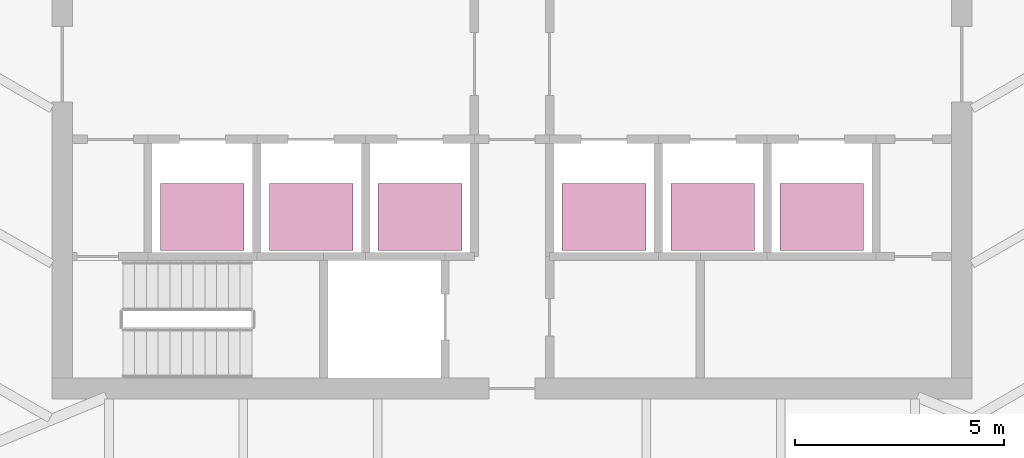
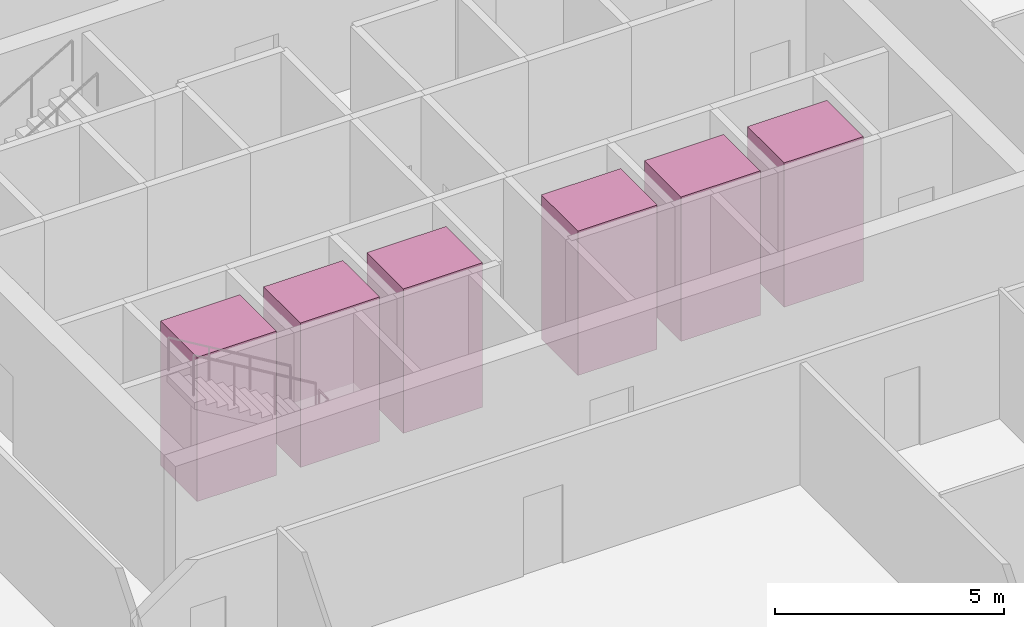
# One storey, part 20 of 20: 6 transport elements.
"""IFC4 building model written with IfcOpenShell, lengths in metres."""

from ifc_helpers import new_model, si_unit, direction, frame, origin, origin_2d, place, context, subcontext, project, spatial, rectangle, extrude, material, type_object, element, save


model = new_model("IFC4")

# Units and contexts
model_context = context("Model", 3, precision=1e-05, world=origin(), true_north=direction((0.0, 1.0)))
body_context = subcontext(model_context, "Body", "Model", "MODEL_VIEW")
ifc_project = project(units=[si_unit("LENGTHUNIT", "METRE"), si_unit("AREAUNIT", "SQUARE_METRE"), si_unit("VOLUMEUNIT", "CUBIC_METRE"), si_unit("PLANEANGLEUNIT", "RADIAN"), si_unit("MASSUNIT", "GRAM", prefix="KILO")], contexts=[model_context])

# Site, building, storey
site_placement = place(None, origin())
site = spatial("IfcSite", under=ifc_project, at=site_placement, CompositionType="ELEMENT")
building_placement = place(site_placement, origin())
building = spatial("IfcBuilding", under=site, at=building_placement, Name="Sierra Prisma Convention Tower", CompositionType="ELEMENT")
storey_placement = place(building_placement, frame((0.0, 0.0, 161.800048828125)))
storey = spatial("IfcBuildingStorey", under=building, at=storey_placement, Name="L35", CompositionType="ELEMENT", Elevation=161.800048828125)

# Transport elements
ifc_material = material(Name="Stainless steel", Category="steel")
transport_element_type = type_object("IfcTransportElementType", Name="Lift car office low 2000x1600 1600 kg", PredefinedType="ELEVATOR", material=ifc_material)
for number, where, z_axis, x_axis, name in (
    (1, (-7.39990234375, -3.64990234375, 0.0), (0.0, 0.0, 1.0), (1.0, 0.0, 0.0), "Lift OL1"),
    (2, (-4.800048828125, -3.64990234375, 0.0), (0.0, 0.0, 1.0), (1.0, 0.0, 0.0), "Lift OL2"),
    (3, (-2.199951171875, -3.64990234375, 0.0), (0.0, 0.0, 1.0), (1.0, 0.0, 0.0), "Lift OL3"),
    (4, (2.199951171875, -3.64990234375, 0.0), (0.0, 0.0, 1.0), (1.0, 0.0, 0.0), "Lift OL4"),
    (5, (4.800048828125, -3.64990234375, 0.0), (0.0, 0.0, 1.0), (1.0, 0.0, 0.0), "Lift OL5"),
    (6, (7.39990234375, -3.64990234375, 0.0), (0.0, 0.0, 1.0), (1.0, 0.0, 0.0), "Lift OL6"),
):
    element("IfcTransportElement", number, at=place(storey_placement, frame(where, z_axis=z_axis, x_axis=x_axis)), inside=storey, type_object=transport_element_type, Name=name, PredefinedType="ELEVATOR", context=body_context, shape_type="SweptSolid", body=[
        extrude(rectangle(XDim=2.0, YDim=1.60009765625, at=origin_2d()), origin(), (0.0, 0.0, 1.0), 3.85009765625),
    ])

save(model, "model.ifc")
